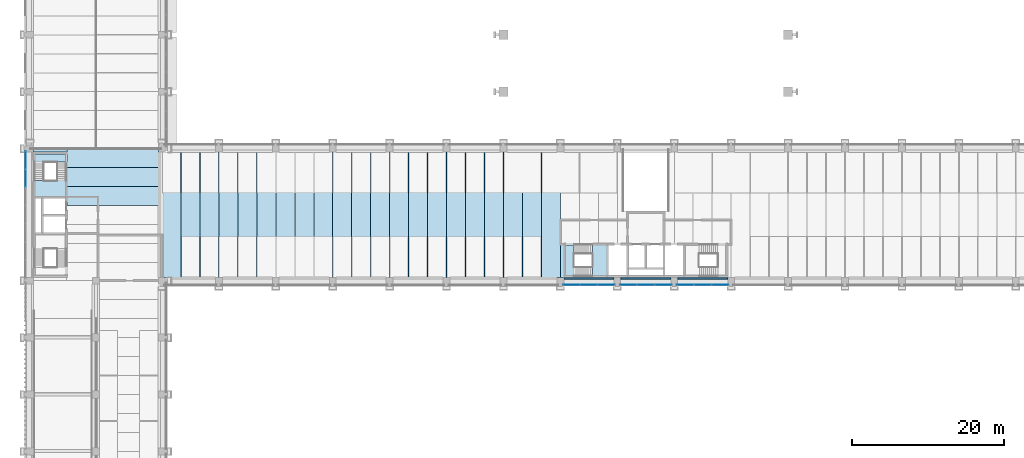
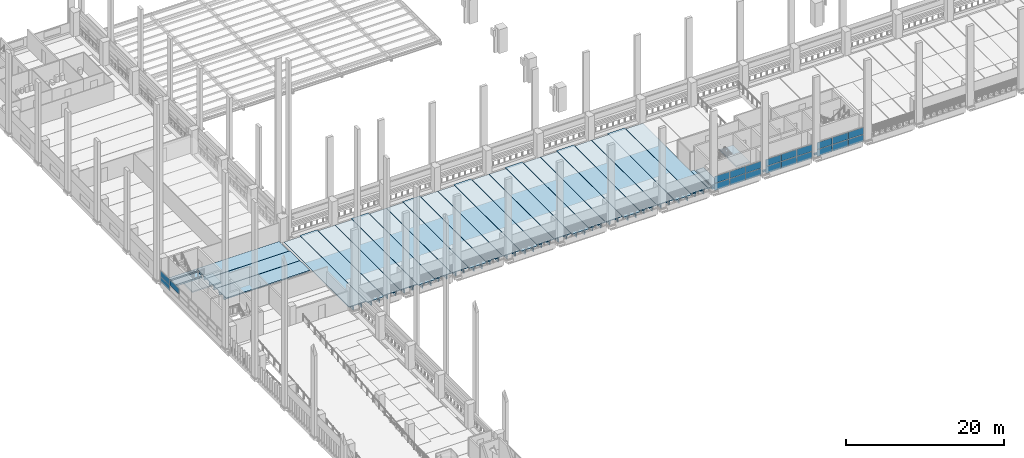
# One storey, part 28 of 67: 33 slabs, 21 plates, 6 elements without a shape of their own.
"""IFC4 building model written with IfcOpenShell, lengths in metres."""

from ifc_helpers import new_model, si_unit, direction, frame, origin, origin_2d, place, context, subcontext, project, spatial, polyline, rectangle, outline, extrude, material, layer, layer_set, material_profile, profile_set, type_object, element, aggregate, save


model = new_model("IFC4")

# Units and contexts
model_context = context("Model", 3, precision=1e-05, world=origin(), true_north=direction((0.0, 1.0)))
body_context = subcontext(model_context, "Body", "Model", "MODEL_VIEW")
ifc_project = project(units=[si_unit("LENGTHUNIT", "METRE"), si_unit("AREAUNIT", "SQUARE_METRE"), si_unit("VOLUMEUNIT", "CUBIC_METRE"), si_unit("PLANEANGLEUNIT", "RADIAN"), si_unit("MASSUNIT", "GRAM", prefix="KILO")], contexts=[model_context])

# Site, building, storey
site_placement = place(None, origin())
site = spatial("IfcSite", under=ifc_project, at=site_placement, CompositionType="ELEMENT")
building_placement = place(site_placement, origin())
building = spatial("IfcBuilding", under=site, at=building_placement, Name="Cour d'Honneur Mobility Palace", CompositionType="ELEMENT")
storey_placement = place(building_placement, frame((0.0, 0.0, 4.5)))
storey = spatial("IfcBuildingStorey", under=building, at=storey_placement, Name="L01", CompositionType="ELEMENT", Elevation=4.5)

# Slabs
ifc_material_1 = material(Name="Concrete C50", Category="concrete")
ifc_layer_1 = layer(ifc_material_1, 0.25)
ifc_layer_set_1 = layer_set([ifc_layer_1], Name="Concrete C50")
slab_type_1 = type_object("IfcSlabType", Name="Cast-in-place Slab 250", PredefinedType="FLOOR", material=ifc_layer_set_1)
slab_1_placement = place(storey_placement, frame((0.0, 0.0, -0.25)))
element("IfcSlab", 1, at=slab_1_placement, inside=storey, type_object=slab_type_1, Name="Cast-in-place slab S1 L01 core", PredefinedType="FLOOR", context=body_context, shape_type="SweptSolid", body=[
    extrude(outline(polyline([(0.449951171875, 61.949951171875), (0.449951171875, 62.39990234375), (4.800048828125, 62.39990234375), (4.800048828125, 61.949951171875), (0.449951171875, 61.949951171875)])), origin(), (0.0, 0.0, 1.0), 0.25),
])
slab_2_placement = place(storey_placement, frame((0.0, 0.0, -0.25)))
element("IfcSlab", 2, at=slab_2_placement, inside=storey, type_object=slab_type_1, Name="Cast-in-place slab S1 L01 core", PredefinedType="FLOOR", context=body_context, shape_type="SweptSolid", body=[
    extrude(outline(polyline([(4.675048828125, 60.625), (0.699951171875, 60.625), (0.699951171875, 61.699951171875), (4.675048828125, 61.699951171875), (4.675048828125, 60.625)])), origin(), (0.0, 0.0, 1.0), 0.25),
])
slab_3_placement = place(storey_placement, frame((0.0, 0.0, -0.25)))
element("IfcSlab", 3, at=slab_3_placement, inside=storey, type_object=slab_type_1, Name="Cast-in-place slab S1 L01 core", PredefinedType="FLOOR", context=body_context, shape_type="SweptSolid", body=[
    extrude(outline(polyline([(70.35009765625, 49.800048828125), (70.35009765625, 45.449951171875), (69.89990234375, 45.449951171875), (69.89990234375, 49.800048828125), (70.35009765625, 49.800048828125)])), origin(), (0.0, 0.0, 1.0), 0.25),
])
slab_4_placement = place(storey_placement, frame((0.0, 0.0, -0.25)))
element("IfcSlab", 4, at=slab_4_placement, inside=storey, type_object=slab_type_1, Name="Cast-in-place slab S1 L01 core", PredefinedType="FLOOR", context=body_context, shape_type="SweptSolid", body=[
    extrude(outline(polyline([(85.35009765625, 45.449951171875), (91.949951171875, 45.449951171875), (91.949951171875, 45.199951171875), (85.35009765625, 45.199951171875), (85.35009765625, 45.449951171875)])), origin(), (0.0, 0.0, 1.0), 0.25),
])
slab_5_placement = place(storey_placement, frame((0.0, 0.0, -0.25)))
element("IfcSlab", 5, at=slab_5_placement, inside=storey, type_object=slab_type_1, Name="Cast-in-place slab S1 L01 core", PredefinedType="FLOOR", context=body_context, shape_type="SweptSolid", body=[
    extrude(outline(polyline([(84.449951171875, 45.199951171875), (77.85009765625, 45.199951171875), (77.85009765625, 45.449951171875), (84.449951171875, 45.449951171875), (84.449951171875, 45.199951171875)])), origin(), (0.0, 0.0, 1.0), 0.25),
])
slab_6_placement = place(storey_placement, frame((0.0, 0.0, -0.25)))
element("IfcSlab", 6, at=slab_6_placement, inside=storey, type_object=slab_type_1, Name="Cast-in-place slab S1 L01 core", PredefinedType="FLOOR", context=body_context, shape_type="SweptSolid", body=[
    extrude(outline(polyline([(70.35009765625, 45.449951171875), (76.949951171875, 45.449951171875), (76.949951171875, 45.199951171875), (70.35009765625, 45.199951171875), (70.35009765625, 45.449951171875)])), origin(), (0.0, 0.0, 1.0), 0.25),
])
slab_7_placement = place(storey_placement, frame((0.0, 0.0, -0.25)))
element("IfcSlab", 7, at=slab_7_placement, inside=storey, type_object=slab_type_1, Name="Cast-in-place slab S1 L01 core", PredefinedType="FLOOR", context=body_context, shape_type="SweptSolid", body=[
    extrude(outline(polyline([(71.675048828125, 49.675048828125), (71.675048828125, 45.699951171875), (70.60009765625, 45.699951171875), (70.60009765625, 49.675048828125), (71.675048828125, 49.675048828125)])), origin(), (0.0, 0.0, 1.0), 0.25),
])

# Curtain wall, plates
ifc_material_2 = material(Name="Aluminium and glass", Category="aluminium")
ifc_layer_2 = layer(ifc_material_2, 0.10009765625)
ifc_layer_set_2 = layer_set([ifc_layer_2], Name="Aluminium and glass")
curtain_wall_type = type_object("IfcCurtainWallType", Name="Curtain wall run", PredefinedType="NOTDEFINED", material=ifc_layer_set_2)
curtain_wall_1_placement = place(storey_placement, origin())
curtain_wall_1 = element("IfcCurtainWall", 8, at=curtain_wall_1_placement, inside=storey, type_object=curtain_wall_type, Name="Curtain wall CW-72", PredefinedType="NOTDEFINED")
ifc_material_3 = material(Name="Double glazing", Category="glass")
ifc_layer_3 = layer(ifc_material_3, 0.028076171875)
ifc_layer_set_3 = layer_set([ifc_layer_3], Name="Double glazing")
plate_type = type_object("IfcPlateType", Name="Curtain wall panel", PredefinedType="CURTAIN_PANEL", material=ifc_layer_set_3)
plate_1_placement = place(storey_placement, frame((71.364990234375, 44.449951171875, 0.06005859375), z_axis=(0.0, 0.0, 1.0), x_axis=(1.0, 0.0, 0.0)))
plate_1 = element("IfcPlate", 9, at=plate_1_placement, type_object=plate_type, Name="CW-72 panel 1.1", PredefinedType="CURTAIN_PANEL", context=body_context, shape_type="SweptSolid", body=[
    extrude(rectangle(XDim=2.2099609375, YDim=0.028076171875, at=origin_2d()), origin(), (0.0, 0.0, 1.0), 1.06005859375),
])
plate_2_placement = place(storey_placement, frame((71.364990234375, 44.449951171875, 1.179931640625), z_axis=(0.0, 0.0, 1.0), x_axis=(1.0, 0.0, 0.0)))
plate_2 = element("IfcPlate", 10, at=plate_2_placement, type_object=plate_type, Name="CW-72 panel 1.2", PredefinedType="CURTAIN_PANEL", context=body_context, shape_type="SweptSolid", body=[
    extrude(rectangle(XDim=2.2099609375, YDim=0.028076171875, at=origin_2d()), origin(), (0.0, 0.0, 1.0), 1.06005859375),
])
plate_3_placement = place(storey_placement, frame((73.64990234375, 44.449951171875, 0.06005859375), z_axis=(0.0, 0.0, 1.0), x_axis=(1.0, 0.0, 0.0)))
plate_3 = element("IfcPlate", 11, at=plate_3_placement, type_object=plate_type, Name="CW-72 panel 2.1", PredefinedType="CURTAIN_PANEL", context=body_context, shape_type="SweptSolid", body=[
    extrude(rectangle(XDim=2.239990234375, YDim=0.028076171875, at=origin_2d()), origin(), (0.0, 0.0, 1.0), 1.06005859375),
])
plate_4_placement = place(storey_placement, frame((73.64990234375, 44.449951171875, 1.179931640625), z_axis=(0.0, 0.0, 1.0), x_axis=(1.0, 0.0, 0.0)))
plate_4 = element("IfcPlate", 12, at=plate_4_placement, type_object=plate_type, Name="CW-72 panel 2.2", PredefinedType="CURTAIN_PANEL", context=body_context, shape_type="SweptSolid", body=[
    extrude(rectangle(XDim=2.239990234375, YDim=0.028076171875, at=origin_2d()), origin(), (0.0, 0.0, 1.0), 1.06005859375),
])
plate_5_placement = place(storey_placement, frame((75.93505859375, 44.449951171875, 0.06005859375), z_axis=(0.0, 0.0, 1.0), x_axis=(1.0, 0.0, 0.0)))
plate_5 = element("IfcPlate", 13, at=plate_5_placement, type_object=plate_type, Name="CW-72 panel 3.1", PredefinedType="CURTAIN_PANEL", context=body_context, shape_type="SweptSolid", body=[
    extrude(rectangle(XDim=2.2099609375, YDim=0.028076171875, at=origin_2d()), origin(), (0.0, 0.0, 1.0), 1.06005859375),
])
plate_6_placement = place(storey_placement, frame((75.93505859375, 44.449951171875, 1.179931640625), z_axis=(0.0, 0.0, 1.0), x_axis=(1.0, 0.0, 0.0)))
plate_6 = element("IfcPlate", 14, at=plate_6_placement, type_object=plate_type, Name="CW-72 panel 3.2", PredefinedType="CURTAIN_PANEL", context=body_context, shape_type="SweptSolid", body=[
    extrude(rectangle(XDim=2.2099609375, YDim=0.028076171875, at=origin_2d()), origin(), (0.0, 0.0, 1.0), 1.06005859375),
])
aggregate(curtain_wall_1, [plate_1, plate_2, plate_3, plate_4, plate_5, plate_6])

curtain_wall_2_placement = place(storey_placement, origin())
curtain_wall_2 = element("IfcCurtainWall", 15, at=curtain_wall_2_placement, inside=storey, type_object=curtain_wall_type, Name="Curtain wall CW-73", PredefinedType="NOTDEFINED")
plate_7_placement = place(storey_placement, frame((78.864990234375, 44.449951171875, 0.06005859375), z_axis=(0.0, 0.0, 1.0), x_axis=(1.0, 0.0, 0.0)))
plate_7 = element("IfcPlate", 16, at=plate_7_placement, type_object=plate_type, Name="CW-73 panel 1.1", PredefinedType="CURTAIN_PANEL", context=body_context, shape_type="SweptSolid", body=[
    extrude(rectangle(XDim=2.2099609375, YDim=0.028076171875, at=origin_2d()), origin(), (0.0, 0.0, 1.0), 1.06005859375),
])
plate_8_placement = place(storey_placement, frame((78.864990234375, 44.449951171875, 1.179931640625), z_axis=(0.0, 0.0, 1.0), x_axis=(1.0, 0.0, 0.0)))
plate_8 = element("IfcPlate", 17, at=plate_8_placement, type_object=plate_type, Name="CW-73 panel 1.2", PredefinedType="CURTAIN_PANEL", context=body_context, shape_type="SweptSolid", body=[
    extrude(rectangle(XDim=2.2099609375, YDim=0.028076171875, at=origin_2d()), origin(), (0.0, 0.0, 1.0), 1.06005859375),
])
plate_9_placement = place(storey_placement, frame((81.14990234375, 44.449951171875, 0.06005859375), z_axis=(0.0, 0.0, 1.0), x_axis=(1.0, 0.0, 0.0)))
plate_9 = element("IfcPlate", 18, at=plate_9_placement, type_object=plate_type, Name="CW-73 panel 2.1", PredefinedType="CURTAIN_PANEL", context=body_context, shape_type="SweptSolid", body=[
    extrude(rectangle(XDim=2.239990234375, YDim=0.028076171875, at=origin_2d()), origin(), (0.0, 0.0, 1.0), 1.06005859375),
])
plate_10_placement = place(storey_placement, frame((81.14990234375, 44.449951171875, 1.179931640625), z_axis=(0.0, 0.0, 1.0), x_axis=(1.0, 0.0, 0.0)))
plate_10 = element("IfcPlate", 19, at=plate_10_placement, type_object=plate_type, Name="CW-73 panel 2.2", PredefinedType="CURTAIN_PANEL", context=body_context, shape_type="SweptSolid", body=[
    extrude(rectangle(XDim=2.239990234375, YDim=0.028076171875, at=origin_2d()), origin(), (0.0, 0.0, 1.0), 1.06005859375),
])
plate_11_placement = place(storey_placement, frame((83.43505859375, 44.449951171875, 0.06005859375), z_axis=(0.0, 0.0, 1.0), x_axis=(1.0, 0.0, 0.0)))
plate_11 = element("IfcPlate", 20, at=plate_11_placement, type_object=plate_type, Name="CW-73 panel 3.1", PredefinedType="CURTAIN_PANEL", context=body_context, shape_type="SweptSolid", body=[
    extrude(rectangle(XDim=2.2099609375, YDim=0.028076171875, at=origin_2d()), origin(), (0.0, 0.0, 1.0), 1.06005859375),
])
plate_12_placement = place(storey_placement, frame((83.43505859375, 44.449951171875, 1.179931640625), z_axis=(0.0, 0.0, 1.0), x_axis=(1.0, 0.0, 0.0)))
plate_12 = element("IfcPlate", 21, at=plate_12_placement, type_object=plate_type, Name="CW-73 panel 3.2", PredefinedType="CURTAIN_PANEL", context=body_context, shape_type="SweptSolid", body=[
    extrude(rectangle(XDim=2.2099609375, YDim=0.028076171875, at=origin_2d()), origin(), (0.0, 0.0, 1.0), 1.06005859375),
])
aggregate(curtain_wall_2, [plate_7, plate_8, plate_9, plate_10, plate_11, plate_12])

curtain_wall_3_placement = place(storey_placement, origin())
curtain_wall_3 = element("IfcCurtainWall", 22, at=curtain_wall_3_placement, inside=storey, type_object=curtain_wall_type, Name="Curtain wall CW-74", PredefinedType="NOTDEFINED")
plate_13_placement = place(storey_placement, frame((86.364990234375, 44.449951171875, 0.06005859375), z_axis=(0.0, 0.0, 1.0), x_axis=(1.0, 0.0, 0.0)))
plate_13 = element("IfcPlate", 23, at=plate_13_placement, type_object=plate_type, Name="CW-74 panel 1.1", PredefinedType="CURTAIN_PANEL", context=body_context, shape_type="SweptSolid", body=[
    extrude(rectangle(XDim=2.2099609375, YDim=0.028076171875, at=origin_2d()), origin(), (0.0, 0.0, 1.0), 1.06005859375),
])
plate_14_placement = place(storey_placement, frame((86.364990234375, 44.449951171875, 1.179931640625), z_axis=(0.0, 0.0, 1.0), x_axis=(1.0, 0.0, 0.0)))
plate_14 = element("IfcPlate", 24, at=plate_14_placement, type_object=plate_type, Name="CW-74 panel 1.2", PredefinedType="CURTAIN_PANEL", context=body_context, shape_type="SweptSolid", body=[
    extrude(rectangle(XDim=2.2099609375, YDim=0.028076171875, at=origin_2d()), origin(), (0.0, 0.0, 1.0), 1.06005859375),
])
plate_15_placement = place(storey_placement, frame((88.64990234375, 44.449951171875, 0.06005859375), z_axis=(0.0, 0.0, 1.0), x_axis=(1.0, 0.0, 0.0)))
plate_15 = element("IfcPlate", 25, at=plate_15_placement, type_object=plate_type, Name="CW-74 panel 2.1", PredefinedType="CURTAIN_PANEL", context=body_context, shape_type="SweptSolid", body=[
    extrude(rectangle(XDim=2.239990234375, YDim=0.028076171875, at=origin_2d()), origin(), (0.0, 0.0, 1.0), 1.06005859375),
])
plate_16_placement = place(storey_placement, frame((88.64990234375, 44.449951171875, 1.179931640625), z_axis=(0.0, 0.0, 1.0), x_axis=(1.0, 0.0, 0.0)))
plate_16 = element("IfcPlate", 26, at=plate_16_placement, type_object=plate_type, Name="CW-74 panel 2.2", PredefinedType="CURTAIN_PANEL", context=body_context, shape_type="SweptSolid", body=[
    extrude(rectangle(XDim=2.239990234375, YDim=0.028076171875, at=origin_2d()), origin(), (0.0, 0.0, 1.0), 1.06005859375),
])
plate_17_placement = place(storey_placement, frame((90.93505859375, 44.449951171875, 0.06005859375), z_axis=(0.0, 0.0, 1.0), x_axis=(1.0, 0.0, 0.0)))
plate_17 = element("IfcPlate", 27, at=plate_17_placement, type_object=plate_type, Name="CW-74 panel 3.1", PredefinedType="CURTAIN_PANEL", context=body_context, shape_type="SweptSolid", body=[
    extrude(rectangle(XDim=2.2099609375, YDim=0.028076171875, at=origin_2d()), origin(), (0.0, 0.0, 1.0), 1.06005859375),
])
plate_18_placement = place(storey_placement, frame((90.93505859375, 44.449951171875, 1.179931640625), z_axis=(0.0, 0.0, 1.0), x_axis=(1.0, 0.0, 0.0)))
plate_18 = element("IfcPlate", 28, at=plate_18_placement, type_object=plate_type, Name="CW-74 panel 3.2", PredefinedType="CURTAIN_PANEL", context=body_context, shape_type="SweptSolid", body=[
    extrude(rectangle(XDim=2.2099609375, YDim=0.028076171875, at=origin_2d()), origin(), (0.0, 0.0, 1.0), 1.06005859375),
])
aggregate(curtain_wall_3, [plate_13, plate_14, plate_15, plate_16, plate_17, plate_18])

curtain_wall_4_placement = place(storey_placement, origin())
curtain_wall_4 = element("IfcCurtainWall", 29, at=curtain_wall_4_placement, inside=storey, type_object=curtain_wall_type, Name="Curtain wall CW-100", PredefinedType="NOTDEFINED")
plate_19_placement = place(storey_placement, frame((-0.550048828125, 60.885009765625, 0.06005859375), z_axis=(0.0, 0.0, 1.0), x_axis=(0.0, -1.0, 0.0)))
plate_19 = element("IfcPlate", 30, at=plate_19_placement, type_object=plate_type, Name="CW-100 panel 1.1", PredefinedType="CURTAIN_PANEL", context=body_context, shape_type="SweptSolid", body=[
    extrude(rectangle(XDim=2.31005859375, YDim=0.028076171875, at=origin_2d()), origin(), (0.0, 0.0, 1.0), 0.860107421875),
])
plate_20_placement = place(storey_placement, frame((-0.550048828125, 60.885009765625, 0.97998046875), z_axis=(0.0, 0.0, 1.0), x_axis=(0.0, -1.0, 0.0)))
plate_20 = element("IfcPlate", 31, at=plate_20_placement, type_object=plate_type, Name="CW-100 panel 1.2", PredefinedType="CURTAIN_PANEL", context=body_context, shape_type="SweptSolid", body=[
    extrude(rectangle(XDim=2.31005859375, YDim=0.028076171875, at=origin_2d()), origin(), (0.0, 0.0, 1.0), 0.860107421875),
])
plate_21_placement = place(storey_placement, frame((-0.550048828125, 58.5, 0.97998046875), z_axis=(0.0, 0.0, 1.0), x_axis=(0.0, -1.0, 0.0)))
plate_21 = element("IfcPlate", 32, at=plate_21_placement, type_object=plate_type, Name="CW-100 panel 2.2", PredefinedType="CURTAIN_PANEL", context=body_context, shape_type="SweptSolid", body=[
    extrude(rectangle(XDim=2.340087890625, YDim=0.028076171875, at=origin_2d()), origin(), (0.0, 0.0, 1.0), 0.860107421875),
])
aggregate(curtain_wall_4, [plate_19, plate_20, plate_21])

# Slabs
ifc_material_4 = material(Name="Concrete C45", Category="concrete")
ifc_material_profile_1 = material_profile(ifc_material_4, outline(polyline([(-1.2451171875, 0.0), (1.2451171875, 0.0), (1.2451171875, -0.10009765625), (0.679931640625, -0.10009765625), (0.64990234375, -0.64990234375), (0.550048828125, -0.64990234375), (0.52001953125, -0.10009765625), (-0.52001953125, -0.10009765625), (-0.550048828125, -0.64990234375), (-0.64990234375, -0.64990234375), (-0.679931640625, -0.10009765625), (-1.2451171875, -0.10009765625), (-1.2451171875, 0.0)])), Name="DT 2490x650")
ifc_profile_set_1 = profile_set([ifc_material_profile_1], Name="Concrete C45")
slab_type_2 = type_object("IfcSlabType", Name="DT 2490x650", PredefinedType="FLOOR", material=ifc_profile_set_1)
for number, where, z_axis, x_axis, name in (
    (33, (4.925048828125, 56.14990234375, 0.0), (1.0, 0.0, 0.0), (0.0, 1.0, 0.0), "Double tee DT-JW4 L01"),
    (34, (4.925048828125, 58.64990234375, 0.0), (1.0, 0.0, 0.0), (0.0, 1.0, 0.0), "Double tee DT-JW5 L01"),
):
    element("IfcSlab", number, at=place(storey_placement, frame(where, z_axis=z_axis, x_axis=x_axis)), inside=storey, type_object=slab_type_2, Name=name, PredefinedType="FLOOR", context=body_context, shape_type="SweptSolid", body=[
        extrude(outline(polyline([(-1.2451171875, 0.0), (1.2451171875, 0.0), (1.2451171875, -0.10009765625), (0.679931640625, -0.10009765625), (0.64990234375, -0.64990234375), (0.550048828125, -0.64990234375), (0.52001953125, -0.10009765625), (-0.52001953125, -0.10009765625), (-0.550048828125, -0.64990234375), (-0.64990234375, -0.64990234375), (-0.679931640625, -0.10009765625), (-1.2451171875, -0.10009765625), (-1.2451171875, 0.0)])), origin(), (0.0, 0.0, 1.0), 12.224853515625),
    ])
slab_8_placement = place(storey_placement, frame((4.925048828125, 61.14990234375, 0.0), z_axis=(1.0, 0.0, 0.0), x_axis=(0.0, 1.0, 0.0)))
element("IfcSlab", 35, at=slab_8_placement, inside=storey, type_object=slab_type_2, Name="Double tee DT-JW6 L01", PredefinedType="FLOOR", context=body_context, shape_type="SweptSolid", body=[
    extrude(outline(polyline([(-1.2451171875, 0.0), (1.2451171875, 0.0), (1.2451171875, -0.10009765625), (0.679931640625, -0.10009765625), (0.64990234375, -0.64990234375), (0.550048828125, -0.64990234375), (0.52001953125, -0.10009765625), (-0.52001953125, -0.10009765625), (-0.550048828125, -0.64990234375), (-0.64990234375, -0.64990234375), (-0.679931640625, -0.10009765625), (-1.2451171875, -0.10009765625), (-1.2451171875, 0.0)])), origin(), (0.0, 0.0, 1.0), 12.02490234375),
])
ifc_material_5 = material(Name="Concrete C45", Category="concrete")
ifc_material_profile_2 = material_profile(ifc_material_5, outline(polyline([(-1.2451171875, 0.0), (1.2451171875, 0.0), (1.2451171875, -0.10009765625), (0.679931640625, -0.10009765625), (0.64990234375, -0.75), (0.550048828125, -0.75), (0.52001953125, -0.10009765625), (-0.52001953125, -0.10009765625), (-0.550048828125, -0.75), (-0.64990234375, -0.75), (-0.679931640625, -0.10009765625), (-1.2451171875, -0.10009765625), (-1.2451171875, 0.0)])), Name="DT 2490x750")
ifc_profile_set_2 = profile_set([ifc_material_profile_2], Name="Concrete C45")
slab_type_3 = type_object("IfcSlabType", Name="DT 2490x750", PredefinedType="FLOOR", material=ifc_profile_set_2)
slab_9_placement = place(storey_placement, frame((18.64990234375, 45.449951171875, 0.0), z_axis=(0.0, 1.0, 0.0), x_axis=(-1.0, 0.0, 0.0)))
element("IfcSlab", 36, at=slab_9_placement, inside=storey, type_object=slab_type_3, Name="Double tee DT-C1 L01", PredefinedType="FLOOR", context=body_context, shape_type="SweptSolid", body=[
    extrude(outline(polyline([(-1.2451171875, 0.0), (1.2451171875, 0.0), (1.2451171875, -0.10009765625), (0.679931640625, -0.10009765625), (0.64990234375, -0.75), (0.550048828125, -0.75), (0.52001953125, -0.10009765625), (-0.52001953125, -0.10009765625), (-0.550048828125, -0.75), (-0.64990234375, -0.75), (-0.679931640625, -0.10009765625), (-1.2451171875, -0.10009765625), (-1.2451171875, 0.0)])), origin(), (0.0, 0.0, 1.0), 16.5),
])
slab_10_placement = place(storey_placement, frame((21.14990234375, 45.199951171875, 0.0), z_axis=(0.0, 1.0, 0.0), x_axis=(-1.0, 0.0, 0.0)))
element("IfcSlab", 37, at=slab_10_placement, inside=storey, type_object=slab_type_3, Name="Double tee DT-C2 L01", PredefinedType="FLOOR", context=body_context, shape_type="SweptSolid", body=[
    extrude(outline(polyline([(-1.2451171875, 0.0), (1.2451171875, 0.0), (1.2451171875, -0.10009765625), (0.679931640625, -0.10009765625), (0.64990234375, -0.75), (0.550048828125, -0.75), (0.52001953125, -0.10009765625), (-0.52001953125, -0.10009765625), (-0.550048828125, -0.75), (-0.64990234375, -0.75), (-0.679931640625, -0.10009765625), (-1.2451171875, -0.10009765625), (-1.2451171875, 0.0)])), origin(), (0.0, 0.0, 1.0), 17.0),
])
for number, where, z_axis, x_axis, name in (
    (38, (23.64990234375, 45.449951171875, 0.0), (0.0, 1.0, 0.0), (-1.0, 0.0, 0.0), "Double tee DT-C3 L01"),
    (39, (26.14990234375, 45.449951171875, 0.0), (0.0, 1.0, 0.0), (-1.0, 0.0, 0.0), "Double tee DT-C4 L01"),
):
    element("IfcSlab", number, at=place(storey_placement, frame(where, z_axis=z_axis, x_axis=x_axis)), inside=storey, type_object=slab_type_3, Name=name, PredefinedType="FLOOR", context=body_context, shape_type="SweptSolid", body=[
        extrude(outline(polyline([(-1.2451171875, 0.0), (1.2451171875, 0.0), (1.2451171875, -0.10009765625), (0.679931640625, -0.10009765625), (0.64990234375, -0.75), (0.550048828125, -0.75), (0.52001953125, -0.10009765625), (-0.52001953125, -0.10009765625), (-0.550048828125, -0.75), (-0.64990234375, -0.75), (-0.679931640625, -0.10009765625), (-1.2451171875, -0.10009765625), (-1.2451171875, 0.0)])), origin(), (0.0, 0.0, 1.0), 16.5),
    ])
slab_11_placement = place(storey_placement, frame((28.64990234375, 45.199951171875, 0.0), z_axis=(0.0, 1.0, 0.0), x_axis=(-1.0, 0.0, 0.0)))
element("IfcSlab", 40, at=slab_11_placement, inside=storey, type_object=slab_type_3, Name="Double tee DT-C5 L01", PredefinedType="FLOOR", context=body_context, shape_type="SweptSolid", body=[
    extrude(outline(polyline([(-1.2451171875, 0.0), (1.2451171875, 0.0), (1.2451171875, -0.10009765625), (0.679931640625, -0.10009765625), (0.64990234375, -0.75), (0.550048828125, -0.75), (0.52001953125, -0.10009765625), (-0.52001953125, -0.10009765625), (-0.550048828125, -0.75), (-0.64990234375, -0.75), (-0.679931640625, -0.10009765625), (-1.2451171875, -0.10009765625), (-1.2451171875, 0.0)])), origin(), (0.0, 0.0, 1.0), 17.0),
])
for number, where, z_axis, x_axis, name in (
    (41, (31.14990234375, 45.449951171875, 0.0), (0.0, 1.0, 0.0), (-1.0, 0.0, 0.0), "Double tee DT-C6 L01"),
    (42, (33.64990234375, 45.449951171875, 0.0), (0.0, 1.0, 0.0), (-1.0, 0.0, 0.0), "Double tee DT-C7 L01"),
):
    element("IfcSlab", number, at=place(storey_placement, frame(where, z_axis=z_axis, x_axis=x_axis)), inside=storey, type_object=slab_type_3, Name=name, PredefinedType="FLOOR", context=body_context, shape_type="SweptSolid", body=[
        extrude(outline(polyline([(-1.2451171875, 0.0), (1.2451171875, 0.0), (1.2451171875, -0.10009765625), (0.679931640625, -0.10009765625), (0.64990234375, -0.75), (0.550048828125, -0.75), (0.52001953125, -0.10009765625), (-0.52001953125, -0.10009765625), (-0.550048828125, -0.75), (-0.64990234375, -0.75), (-0.679931640625, -0.10009765625), (-1.2451171875, -0.10009765625), (-1.2451171875, 0.0)])), origin(), (0.0, 0.0, 1.0), 16.5),
    ])
slab_12_placement = place(storey_placement, frame((36.14990234375, 45.199951171875, 0.0), z_axis=(0.0, 1.0, 0.0), x_axis=(-1.0, 0.0, 0.0)))
element("IfcSlab", 43, at=slab_12_placement, inside=storey, type_object=slab_type_3, Name="Double tee DT-C8 L01", PredefinedType="FLOOR", context=body_context, shape_type="SweptSolid", body=[
    extrude(outline(polyline([(-1.2451171875, 0.0), (1.2451171875, 0.0), (1.2451171875, -0.10009765625), (0.679931640625, -0.10009765625), (0.64990234375, -0.75), (0.550048828125, -0.75), (0.52001953125, -0.10009765625), (-0.52001953125, -0.10009765625), (-0.550048828125, -0.75), (-0.64990234375, -0.75), (-0.679931640625, -0.10009765625), (-1.2451171875, -0.10009765625), (-1.2451171875, 0.0)])), origin(), (0.0, 0.0, 1.0), 17.0),
])
for number, where, z_axis, x_axis, name in (
    (44, (38.64990234375, 45.449951171875, 0.0), (0.0, 1.0, 0.0), (-1.0, 0.0, 0.0), "Double tee DT-C9 L01"),
    (45, (41.14990234375, 45.449951171875, 0.0), (0.0, 1.0, 0.0), (-1.0, 0.0, 0.0), "Double tee DT-C10 L01"),
):
    element("IfcSlab", number, at=place(storey_placement, frame(where, z_axis=z_axis, x_axis=x_axis)), inside=storey, type_object=slab_type_3, Name=name, PredefinedType="FLOOR", context=body_context, shape_type="SweptSolid", body=[
        extrude(outline(polyline([(-1.2451171875, 0.0), (1.2451171875, 0.0), (1.2451171875, -0.10009765625), (0.679931640625, -0.10009765625), (0.64990234375, -0.75), (0.550048828125, -0.75), (0.52001953125, -0.10009765625), (-0.52001953125, -0.10009765625), (-0.550048828125, -0.75), (-0.64990234375, -0.75), (-0.679931640625, -0.10009765625), (-1.2451171875, -0.10009765625), (-1.2451171875, 0.0)])), origin(), (0.0, 0.0, 1.0), 16.5),
    ])
slab_13_placement = place(storey_placement, frame((43.64990234375, 45.199951171875, 0.0), z_axis=(0.0, 1.0, 0.0), x_axis=(-1.0, 0.0, 0.0)))
element("IfcSlab", 46, at=slab_13_placement, inside=storey, type_object=slab_type_3, Name="Double tee DT-C11 L01", PredefinedType="FLOOR", context=body_context, shape_type="SweptSolid", body=[
    extrude(outline(polyline([(-1.2451171875, 0.0), (1.2451171875, 0.0), (1.2451171875, -0.10009765625), (0.679931640625, -0.10009765625), (0.64990234375, -0.75), (0.550048828125, -0.75), (0.52001953125, -0.10009765625), (-0.52001953125, -0.10009765625), (-0.550048828125, -0.75), (-0.64990234375, -0.75), (-0.679931640625, -0.10009765625), (-1.2451171875, -0.10009765625), (-1.2451171875, 0.0)])), origin(), (0.0, 0.0, 1.0), 17.0),
])
for number, where, z_axis, x_axis, name in (
    (47, (46.14990234375, 45.449951171875, 0.0), (0.0, 1.0, 0.0), (-1.0, 0.0, 0.0), "Double tee DT-C12 L01"),
    (48, (48.64990234375, 45.449951171875, 0.0), (0.0, 1.0, 0.0), (-1.0, 0.0, 0.0), "Double tee DT-C13 L01"),
):
    element("IfcSlab", number, at=place(storey_placement, frame(where, z_axis=z_axis, x_axis=x_axis)), inside=storey, type_object=slab_type_3, Name=name, PredefinedType="FLOOR", context=body_context, shape_type="SweptSolid", body=[
        extrude(outline(polyline([(-1.2451171875, 0.0), (1.2451171875, 0.0), (1.2451171875, -0.10009765625), (0.679931640625, -0.10009765625), (0.64990234375, -0.75), (0.550048828125, -0.75), (0.52001953125, -0.10009765625), (-0.52001953125, -0.10009765625), (-0.550048828125, -0.75), (-0.64990234375, -0.75), (-0.679931640625, -0.10009765625), (-1.2451171875, -0.10009765625), (-1.2451171875, 0.0)])), origin(), (0.0, 0.0, 1.0), 16.5),
    ])
slab_14_placement = place(storey_placement, frame((51.14990234375, 45.199951171875, 0.0), z_axis=(0.0, 1.0, 0.0), x_axis=(-1.0, 0.0, 0.0)))
element("IfcSlab", 49, at=slab_14_placement, inside=storey, type_object=slab_type_3, Name="Double tee DT-C14 L01", PredefinedType="FLOOR", context=body_context, shape_type="SweptSolid", body=[
    extrude(outline(polyline([(-1.2451171875, 0.0), (1.2451171875, 0.0), (1.2451171875, -0.10009765625), (0.679931640625, -0.10009765625), (0.64990234375, -0.75), (0.550048828125, -0.75), (0.52001953125, -0.10009765625), (-0.52001953125, -0.10009765625), (-0.550048828125, -0.75), (-0.64990234375, -0.75), (-0.679931640625, -0.10009765625), (-1.2451171875, -0.10009765625), (-1.2451171875, 0.0)])), origin(), (0.0, 0.0, 1.0), 17.0),
])
for number, where, z_axis, x_axis, name in (
    (50, (53.64990234375, 45.449951171875, 0.0), (0.0, 1.0, 0.0), (-1.0, 0.0, 0.0), "Double tee DT-C15 L01"),
    (51, (56.14990234375, 45.449951171875, 0.0), (0.0, 1.0, 0.0), (-1.0, 0.0, 0.0), "Double tee DT-C16 L01"),
):
    element("IfcSlab", number, at=place(storey_placement, frame(where, z_axis=z_axis, x_axis=x_axis)), inside=storey, type_object=slab_type_3, Name=name, PredefinedType="FLOOR", context=body_context, shape_type="SweptSolid", body=[
        extrude(outline(polyline([(-1.2451171875, 0.0), (1.2451171875, 0.0), (1.2451171875, -0.10009765625), (0.679931640625, -0.10009765625), (0.64990234375, -0.75), (0.550048828125, -0.75), (0.52001953125, -0.10009765625), (-0.52001953125, -0.10009765625), (-0.550048828125, -0.75), (-0.64990234375, -0.75), (-0.679931640625, -0.10009765625), (-1.2451171875, -0.10009765625), (-1.2451171875, 0.0)])), origin(), (0.0, 0.0, 1.0), 16.5),
    ])
slab_15_placement = place(storey_placement, frame((58.64990234375, 45.199951171875, 0.0), z_axis=(0.0, 1.0, 0.0), x_axis=(-1.0, 0.0, 0.0)))
element("IfcSlab", 52, at=slab_15_placement, inside=storey, type_object=slab_type_3, Name="Double tee DT-C17 L01", PredefinedType="FLOOR", context=body_context, shape_type="SweptSolid", body=[
    extrude(outline(polyline([(-1.2451171875, 0.0), (1.2451171875, 0.0), (1.2451171875, -0.10009765625), (0.679931640625, -0.10009765625), (0.64990234375, -0.75), (0.550048828125, -0.75), (0.52001953125, -0.10009765625), (-0.52001953125, -0.10009765625), (-0.550048828125, -0.75), (-0.64990234375, -0.75), (-0.679931640625, -0.10009765625), (-1.2451171875, -0.10009765625), (-1.2451171875, 0.0)])), origin(), (0.0, 0.0, 1.0), 17.0),
])
for number, where, z_axis, x_axis, name in (
    (53, (61.14990234375, 45.449951171875, 0.0), (0.0, 1.0, 0.0), (-1.0, 0.0, 0.0), "Double tee DT-C18 L01"),
    (54, (63.64990234375, 45.449951171875, 0.0), (0.0, 1.0, 0.0), (-1.0, 0.0, 0.0), "Double tee DT-C19 L01"),
):
    element("IfcSlab", number, at=place(storey_placement, frame(where, z_axis=z_axis, x_axis=x_axis)), inside=storey, type_object=slab_type_3, Name=name, PredefinedType="FLOOR", context=body_context, shape_type="SweptSolid", body=[
        extrude(outline(polyline([(-1.2451171875, 0.0), (1.2451171875, 0.0), (1.2451171875, -0.10009765625), (0.679931640625, -0.10009765625), (0.64990234375, -0.75), (0.550048828125, -0.75), (0.52001953125, -0.10009765625), (-0.52001953125, -0.10009765625), (-0.550048828125, -0.75), (-0.64990234375, -0.75), (-0.679931640625, -0.10009765625), (-1.2451171875, -0.10009765625), (-1.2451171875, 0.0)])), origin(), (0.0, 0.0, 1.0), 16.5),
    ])
slab_16_placement = place(storey_placement, frame((66.14990234375, 45.199951171875, 0.0), z_axis=(0.0, 1.0, 0.0), x_axis=(-1.0, 0.0, 0.0)))
element("IfcSlab", 55, at=slab_16_placement, inside=storey, type_object=slab_type_3, Name="Double tee DT-C20 L01", PredefinedType="FLOOR", context=body_context, shape_type="SweptSolid", body=[
    extrude(outline(polyline([(-1.2451171875, 0.0), (1.2451171875, 0.0), (1.2451171875, -0.10009765625), (0.679931640625, -0.10009765625), (0.64990234375, -0.75), (0.550048828125, -0.75), (0.52001953125, -0.10009765625), (-0.52001953125, -0.10009765625), (-0.550048828125, -0.75), (-0.64990234375, -0.75), (-0.679931640625, -0.10009765625), (-1.2451171875, -0.10009765625), (-1.2451171875, 0.0)])), origin(), (0.0, 0.0, 1.0), 17.0),
])
slab_17_placement = place(storey_placement, frame((68.64990234375, 45.449951171875, 0.0), z_axis=(0.0, 1.0, 0.0), x_axis=(-1.0, 0.0, 0.0)))
element("IfcSlab", 56, at=slab_17_placement, inside=storey, type_object=slab_type_3, Name="Double tee DT-C21 L01", PredefinedType="FLOOR", context=body_context, shape_type="SweptSolid", body=[
    extrude(outline(polyline([(-1.2451171875, 0.0), (1.2451171875, 0.0), (1.2451171875, -0.10009765625), (0.679931640625, -0.10009765625), (0.64990234375, -0.75), (0.550048828125, -0.75), (0.52001953125, -0.10009765625), (-0.52001953125, -0.10009765625), (-0.550048828125, -0.75), (-0.64990234375, -0.75), (-0.679931640625, -0.10009765625), (-1.2451171875, -0.10009765625), (-1.2451171875, 0.0)])), origin(), (0.0, 0.0, 1.0), 16.5),
])

# Stair, slab
ifc_material_6 = material(Name="Concrete C50", Category="concrete")
stair_type = type_object("IfcStairType", Name="Stair 20 risers", PredefinedType="HALF_TURN_STAIR", material=ifc_material_6)
stair_1_placement = place(storey_placement, origin())
stair_1 = element("IfcStair", 57, at=stair_1_placement, inside=storey, type_object=stair_type, Name="Stair ST-CW2", PredefinedType="HALF_TURN_STAIR")
ifc_material_7 = material(Name="Concrete C50", Category="concrete")
ifc_layer_4 = layer(ifc_material_7, 0.199951171875)
ifc_layer_set_4 = layer_set([ifc_layer_4], Name="Concrete C50")
slab_type_4 = type_object("IfcSlabType", Name="Stair landing", PredefinedType="LANDING", material=ifc_layer_set_4)
slab_18_placement = place(storey_placement, frame((0.0, 0.0, 1.64990234375)))
slab_18 = element("IfcSlab", 58, at=slab_18_placement, type_object=slab_type_4, Name="ST-CW2 landing 1", PredefinedType="LANDING", context=body_context, shape_type="SweptSolid", body=[
    extrude(outline(polyline([(0.574951171875, 56.0), (4.800048828125, 56.0), (4.800048828125, 58.195068359375), (0.574951171875, 58.195068359375), (0.574951171875, 56.0)])), origin(), (0.0, 0.0, 1.0), 0.2001953125),
])
aggregate(stair_1, [slab_18])

stair_2_placement = place(storey_placement, origin())
stair_2 = element("IfcStair", 59, at=stair_2_placement, inside=storey, type_object=stair_type, Name="Stair ST-CC1", PredefinedType="HALF_TURN_STAIR")
slab_19_placement = place(storey_placement, frame((0.0, 0.0, 1.64990234375)))
slab_19 = element("IfcSlab", 60, at=slab_19_placement, type_object=slab_type_4, Name="ST-CC1 landing 1", PredefinedType="LANDING", context=body_context, shape_type="SweptSolid", body=[
    extrude(outline(polyline([(74.10498046875, 45.574951171875), (76.10009765625, 45.574951171875), (76.10009765625, 49.800048828125), (74.10498046875, 49.800048828125), (74.10498046875, 45.574951171875)])), origin(), (0.0, 0.0, 1.0), 0.2001953125),
])
aggregate(stair_2, [slab_19])

save(model, "model.ifc")
